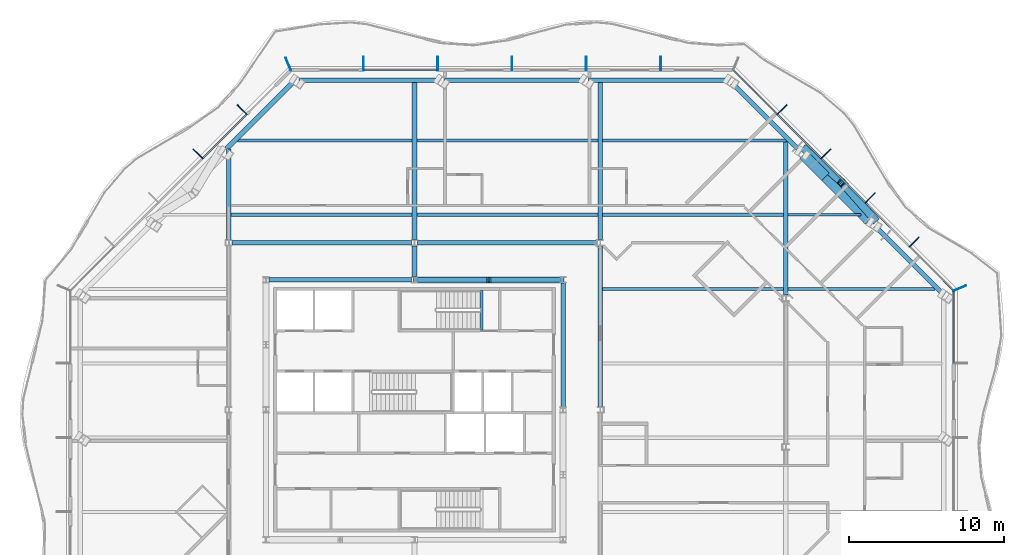
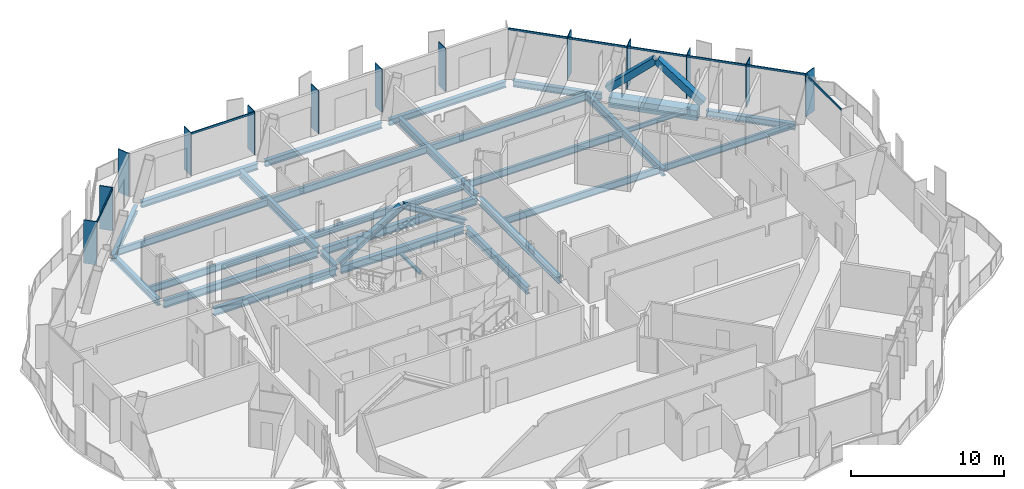
# One storey, part 5 of 19: 29 beams, 25 members, 4 elements without a shape of their own.
"""IFC4 building model written with IfcOpenShell, lengths in metres."""

from ifc_helpers import new_model, si_unit, direction, frame, origin, origin_2d, place, context, subcontext, project, spatial, rectangle, hollow_rectangle, i_section, extrude, material, material_profile, profile_set, type_object, element, aggregate, save


model = new_model("IFC4")

# Units and contexts
model_context = context("Model", 3, precision=1e-05, world=origin(), true_north=direction((0.0, 1.0)))
body_context = subcontext(model_context, "Body", "Model", "MODEL_VIEW")
ifc_project = project(units=[si_unit("LENGTHUNIT", "METRE"), si_unit("AREAUNIT", "SQUARE_METRE"), si_unit("VOLUMEUNIT", "CUBIC_METRE"), si_unit("PLANEANGLEUNIT", "RADIAN"), si_unit("MASSUNIT", "GRAM", prefix="KILO")], contexts=[model_context])

# Site, building, storey
site_placement = place(None, origin())
site = spatial("IfcSite", under=ifc_project, at=site_placement, CompositionType="ELEMENT")
building_placement = place(site_placement, origin())
building = spatial("IfcBuilding", under=site, at=building_placement, Name="Cairn Pilgrim Tower", CompositionType="ELEMENT")
storey_placement = place(building_placement, frame((0.0, 0.0, 193.800048828125)))
storey = spatial("IfcBuildingStorey", under=building, at=storey_placement, Name="L49", CompositionType="ELEMENT", Elevation=193.800048828125)

# Members
ifc_material_1 = material(Name="Structural steel S460M", Category="steel")
ifc_material_profile_1 = material_profile(ifc_material_1, hollow_rectangle(XDim=0.5, YDim=0.5, WallThickness=0.030029296875, at=origin_2d()), Name="BOX 500x500x30")
ifc_profile_set_1 = profile_set([ifc_material_profile_1], Name="Structural steel S460M")
member_type_1 = type_object("IfcMemberType", Name="BOX 500x500x30 BRACE", PredefinedType="BRACE", material=ifc_profile_set_1)
member_1_placement = place(storey_placement, frame((36.94482421875, 14.690185546875, 0.148681640625), z_axis=(-0.50268563235, 0.570110542694, 0.649831612141), x_axis=(-0.750068269105, -0.661360409823, 0.0)))
element("IfcMember", 1, at=member_1_placement, inside=storey, type_object=member_type_1, Name="XB-NE2-NE3-1", PredefinedType="BRACE", context=body_context, shape_type="SweptSolid", body=[
    extrude(hollow_rectangle(XDim=0.5, YDim=0.5, WallThickness=0.030029296875, at=origin_2d()), origin(), (0.0, 0.0, 1.0), 4.189453125),
])
member_2_placement = place(storey_placement, frame((32.41650390625, 19.256103515625, 0.14990234375), z_axis=(0.565218277233, -0.506570163308, 0.651087527701), x_axis=(0.667415534771, 0.744685506739, 0.0)))
element("IfcMember", 2, at=member_2_placement, inside=storey, type_object=member_type_1, Name="XB-NE2-NE3-2", PredefinedType="BRACE", context=body_context, shape_type="SweptSolid", body=[
    extrude(hollow_rectangle(XDim=0.5, YDim=0.5, WallThickness=0.030029296875, at=origin_2d()), origin(), (0.0, 0.0, 1.0), 4.179443359375),
])

# Beams
ifc_material_2 = material(Name="Structural steel S355J2", Category="steel")
ifc_material_profile_2 = material_profile(ifc_material_2, hollow_rectangle(XDim=0.699951171875, YDim=0.800048828125, WallThickness=0.0400390625, at=origin_2d()), Name="BOX 700x800x40")
ifc_profile_set_2 = profile_set([ifc_material_profile_2], Name="Structural steel S355J2")
beam_type_1 = type_object("IfcBeamType", Name="BOX 700x800x40 RING GIRDER", PredefinedType="SPANDREL", material=ifc_profile_set_2)
beam_1_placement = place(storey_placement, frame((36.584716796875, 14.642333984375, -0.550048828125), z_axis=(-0.707076115411, 0.707137445632, 0.0), x_axis=(-0.707137445632, -0.707076115411, 0.0)))
element("IfcBeam", 3, at=beam_1_placement, inside=storey, type_object=beam_type_1, Name="RG2-NE2-NE3-1", PredefinedType="SPANDREL", context=body_context, shape_type="SweptSolid", body=[
    extrude(hollow_rectangle(XDim=0.699951171875, YDim=0.800048828125, WallThickness=0.0400390625, at=origin_2d()), origin(), (0.0, 0.0, 1.0), 3.980712890625),
])
beam_2_placement = place(storey_placement, frame((33.77001953125, 17.457275390625, -0.550048828125), z_axis=(-0.707167240917, 0.707046316286, 0.0), x_axis=(-0.707046316286, -0.707167240917, 0.0)))
element("IfcBeam", 4, at=beam_2_placement, inside=storey, type_object=beam_type_1, Name="RG2-NE2-NE3-2", PredefinedType="SPANDREL", context=body_context, shape_type="SweptSolid", body=[
    extrude(hollow_rectangle(XDim=0.699951171875, YDim=0.800048828125, WallThickness=0.0400390625, at=origin_2d()), origin(), (0.0, 0.0, 1.0), 2.01904296875),
])

# Curtain wall, members
ifc_material_3 = material(Name="Aluminium alloy 6063-T6 bronze anodised with Bronze tinted laminated low-E glass 8+16+8.8", Category="aluminium")
curtain_wall_type_1 = type_object("IfcCurtainWallType", Name="CHAMFER CORNER CURTAIN WALL", PredefinedType="NOTDEFINED", material=ifc_material_3)
curtain_wall_1_placement = place(storey_placement, origin())
curtain_wall_1 = element("IfcCurtainWall", 5, at=curtain_wall_1_placement, inside=storey, type_object=curtain_wall_type_1, Name="Chamfer Corner Curtain Wall NE", PredefinedType="NOTDEFINED")
ifc_material_4 = material(Name="Aluminium alloy 6063-T6 bronze anodised", Category="aluminium")
ifc_material_profile_3 = material_profile(ifc_material_4, rectangle(XDim=0.89990234375, YDim=0.06005859375, at=origin_2d()), Name="FIN MULLION 60x900 BRONZE")
ifc_profile_set_3 = profile_set([ifc_material_profile_3], Name="Aluminium alloy 6063-T6 bronze anodised")
member_type_2 = type_object("IfcMemberType", Name="FIN MULLION 60x900 BRONZE", PredefinedType="MULLION", material=ifc_profile_set_3)
member_3_placement = place(storey_placement, frame((42.43798828125, 10.257080078125, 0.0), z_axis=(0.0, 0.0, 1.0), x_axis=(0.923879532511, 0.382683432365, 0.0)))
member_3 = element("IfcMember", 6, at=member_3_placement, type_object=member_type_2, Name="Fin mullion NE1", PredefinedType="MULLION", context=body_context, shape_type="SweptSolid", body=[
    extrude(rectangle(XDim=0.89990234375, YDim=0.06005859375, at=origin_2d()), origin(), (0.0, 0.0, 1.0), 3.449951171875),
])
member_4_placement = place(storey_placement, frame((39.496337890625, 13.244140625, 0.0), z_axis=(0.0, 0.0, 1.0), x_axis=(0.707106781187, 0.707106781187, 0.0)))
member_4 = element("IfcMember", 7, at=member_4_placement, type_object=member_type_2, Name="Fin mullion NE2", PredefinedType="MULLION", context=body_context, shape_type="SweptSolid", body=[
    extrude(rectangle(XDim=0.89990234375, YDim=0.06005859375, at=origin_2d()), origin(), (0.0, 0.0, 1.0), 3.449951171875),
])
member_5_placement = place(storey_placement, frame((36.6455078125, 16.094970703125, 0.0), z_axis=(0.0, 0.0, 1.0), x_axis=(0.707106781187, 0.707106781187, 0.0)))
member_5 = element("IfcMember", 8, at=member_5_placement, type_object=member_type_2, Name="Fin mullion NE3", PredefinedType="MULLION", context=body_context, shape_type="SweptSolid", body=[
    extrude(rectangle(XDim=0.89990234375, YDim=0.06005859375, at=origin_2d()), origin(), (0.0, 0.0, 1.0), 3.449951171875),
])
member_6_placement = place(storey_placement, frame((33.794921875, 18.945556640625, 0.0), z_axis=(0.0, 0.0, 1.0), x_axis=(0.707106781187, 0.707106781187, 0.0)))
member_6 = element("IfcMember", 9, at=member_6_placement, type_object=member_type_2, Name="Fin mullion NE4", PredefinedType="MULLION", context=body_context, shape_type="SweptSolid", body=[
    extrude(rectangle(XDim=0.89990234375, YDim=0.06005859375, at=origin_2d()), origin(), (0.0, 0.0, 1.0), 3.449951171875),
])
member_7_placement = place(storey_placement, frame((30.944091796875, 21.79638671875, 0.0), z_axis=(0.0, 0.0, 1.0), x_axis=(0.707106781187, 0.707106781187, 0.0)))
member_7 = element("IfcMember", 10, at=member_7_placement, type_object=member_type_2, Name="Fin mullion NE5", PredefinedType="MULLION", context=body_context, shape_type="SweptSolid", body=[
    extrude(rectangle(XDim=0.89990234375, YDim=0.06005859375, at=origin_2d()), origin(), (0.0, 0.0, 1.0), 3.449951171875),
])

curtain_wall_type_2 = type_object("IfcCurtainWallType", Name="TOWER STICK CURTAIN WALL NS", PredefinedType="NOTDEFINED", material=ifc_material_3)
curtain_wall_2_placement = place(storey_placement, origin())
curtain_wall_2 = element("IfcCurtainWall", 11, at=curtain_wall_2_placement, inside=storey, type_object=curtain_wall_type_2, Name="Tower Stick Curtain Wall Ns N", PredefinedType="NOTDEFINED")
member_8_placement = place(storey_placement, frame((23.10009765625, 24.77001953125, 0.0), z_axis=(0.0, 0.0, 1.0), x_axis=(0.0, 1.0, 0.0)))
member_8 = element("IfcMember", 12, at=member_8_placement, type_object=member_type_2, Name="Fin mullion N2", PredefinedType="MULLION", context=body_context, shape_type="SweptSolid", body=[
    extrude(rectangle(XDim=0.89990234375, YDim=0.06005859375, at=origin_2d()), origin(), (0.0, 0.0, 1.0), 3.449951171875),
])
member_9_placement = place(storey_placement, frame((18.300048828125, 24.77001953125, 0.0), z_axis=(0.0, 0.0, 1.0), x_axis=(0.0, 1.0, 0.0)))
member_9 = element("IfcMember", 13, at=member_9_placement, type_object=member_type_2, Name="Fin mullion N3", PredefinedType="MULLION", context=body_context, shape_type="SweptSolid", body=[
    extrude(rectangle(XDim=0.89990234375, YDim=0.06005859375, at=origin_2d()), origin(), (0.0, 0.0, 1.0), 3.449951171875),
])
member_10_placement = place(storey_placement, frame((13.5, 24.77001953125, 0.0), z_axis=(0.0, 0.0, 1.0), x_axis=(0.0, 1.0, 0.0)))
member_10 = element("IfcMember", 14, at=member_10_placement, type_object=member_type_2, Name="Fin mullion N4", PredefinedType="MULLION", context=body_context, shape_type="SweptSolid", body=[
    extrude(rectangle(XDim=0.89990234375, YDim=0.06005859375, at=origin_2d()), origin(), (0.0, 0.0, 1.0), 3.449951171875),
])
member_11_placement = place(storey_placement, frame((8.699951171875, 24.77001953125, 0.0), z_axis=(0.0, 0.0, 1.0), x_axis=(0.0, 1.0, 0.0)))
member_11 = element("IfcMember", 15, at=member_11_placement, type_object=member_type_2, Name="Fin mullion N5", PredefinedType="MULLION", context=body_context, shape_type="SweptSolid", body=[
    extrude(rectangle(XDim=0.89990234375, YDim=0.06005859375, at=origin_2d()), origin(), (0.0, 0.0, 1.0), 3.449951171875),
])
member_12_placement = place(storey_placement, frame((3.89990234375, 24.77001953125, 0.0), z_axis=(0.0, 0.0, 1.0), x_axis=(0.0, 1.0, 0.0)))
member_12 = element("IfcMember", 16, at=member_12_placement, type_object=member_type_2, Name="Fin mullion N6", PredefinedType="MULLION", context=body_context, shape_type="SweptSolid", body=[
    extrude(rectangle(XDim=0.89990234375, YDim=0.06005859375, at=origin_2d()), origin(), (0.0, 0.0, 1.0), 3.449951171875),
])

curtain_wall_3_placement = place(storey_placement, origin())
curtain_wall_3 = element("IfcCurtainWall", 17, at=curtain_wall_3_placement, inside=storey, type_object=curtain_wall_type_1, Name="Chamfer Corner Curtain Wall NW", PredefinedType="NOTDEFINED")
member_13_placement = place(storey_placement, frame((-0.957275390625, 24.738037109375, 0.0), z_axis=(0.0, 0.0, 1.0), x_axis=(-0.382683432365, 0.923879532511, 0.0)))
member_13 = element("IfcMember", 18, at=member_13_placement, type_object=member_type_2, Name="Fin mullion NW1", PredefinedType="MULLION", context=body_context, shape_type="SweptSolid", body=[
    extrude(rectangle(XDim=0.89990234375, YDim=0.06005859375, at=origin_2d()), origin(), (0.0, 0.0, 1.0), 3.449951171875),
])
member_14_placement = place(storey_placement, frame((-3.944091796875, 21.79638671875, 0.0), z_axis=(0.0, 0.0, 1.0), x_axis=(-0.707106781187, 0.707106781187, 0.0)))
member_14 = element("IfcMember", 19, at=member_14_placement, type_object=member_type_2, Name="Fin mullion NW2", PredefinedType="MULLION", context=body_context, shape_type="SweptSolid", body=[
    extrude(rectangle(XDim=0.89990234375, YDim=0.06005859375, at=origin_2d()), origin(), (0.0, 0.0, 1.0), 3.449951171875),
])
member_15_placement = place(storey_placement, frame((-6.794921875, 18.945556640625, 0.0), z_axis=(0.0, 0.0, 1.0), x_axis=(-0.707106781187, 0.707106781187, 0.0)))
member_15 = element("IfcMember", 20, at=member_15_placement, type_object=member_type_2, Name="Fin mullion NW3", PredefinedType="MULLION", context=body_context, shape_type="SweptSolid", body=[
    extrude(rectangle(XDim=0.89990234375, YDim=0.06005859375, at=origin_2d()), origin(), (0.0, 0.0, 1.0), 3.449951171875),
])

# Members
ifc_material_profile_4 = material_profile(ifc_material_2, i_section(OverallWidth=0.39794921875, OverallDepth=0.386962890625, WebThickness=0.02099609375, FlangeThickness=0.033203125, FilletRadius=0.014892578125, at=origin_2d()), Name="HD 400x262")
ifc_profile_set_4 = profile_set([ifc_material_profile_4], Name="Structural steel S355J2")
member_type_3 = type_object("IfcMemberType", Name="HD 400x262 BRACE", PredefinedType="BRACE", material=ifc_profile_set_4)
for number, where, z_axis, x_axis, name in (
    (21, (16.759521484375, 10.800048828125, 0.099853515625), (-0.851160677397, 0.0, 0.524905230736), (0.0, -1.0, 0.0), "KB-3A"),
    (22, (7.240478515625, 10.800048828125, 0.099853515625), (0.851160677397, 0.0, 0.524905230736), (0.0, 1.0, 0.0), "KB-3B"),
):
    element("IfcMember", number, at=place(storey_placement, frame(where, z_axis=z_axis, x_axis=x_axis)), inside=storey, type_object=member_type_3, Name=name, PredefinedType="BRACE", context=body_context, shape_type="SweptSolid", body=[
        extrude(i_section(OverallWidth=0.39794921875, OverallDepth=0.386962890625, WebThickness=0.02099609375, FlangeThickness=0.033203125, FilletRadius=0.014892578125, at=origin_2d()), origin(), (0.0, 0.0, 1.0), 5.529296875),
    ])

# Beams
ifc_material_profile_5 = material_profile(ifc_material_2, i_section(OverallWidth=0.300048828125, OverallDepth=0.39990234375, WebThickness=0.013427734375, FlangeThickness=0.02392578125, FilletRadius=0.027099609375, at=origin_2d()), Name="HEB 400")
ifc_profile_set_5 = profile_set([ifc_material_profile_5], Name="Structural steel S355J2")
beam_type_2 = type_object("IfcBeamType", Name="HEB 400 GIRDER", PredefinedType="BEAM", material=ifc_profile_set_5)
beam_3_placement = place(storey_placement, frame((7.199951171875, 11.001953125, -0.35009765625), z_axis=(0.0, 1.0, 0.0), x_axis=(-1.0, 0.0, 0.0)))
element("IfcBeam", 23, at=beam_3_placement, inside=storey, type_object=beam_type_2, Name="PG3-E2", PredefinedType="BEAM", context=body_context, shape_type="SweptSolid", body=[
    extrude(i_section(OverallWidth=0.300048828125, OverallDepth=0.39990234375, WebThickness=0.013427734375, FlangeThickness=0.02392578125, FilletRadius=0.027099609375, at=origin_2d()), origin(), (0.0, 0.0, 1.0), 1.99853515625),
])
ifc_material_profile_6 = material_profile(ifc_material_2, i_section(OverallWidth=0.300048828125, OverallDepth=0.5, WebThickness=0.014404296875, FlangeThickness=0.028076171875, FilletRadius=0.027099609375, at=origin_2d()), Name="HEB 500")
ifc_profile_set_6 = profile_set([ifc_material_profile_6], Name="Structural steel S355J2")
beam_type_3 = type_object("IfcBeamType", Name="HEB 500 GIRDER", PredefinedType="BEAM", material=ifc_profile_set_6)
beam_4_placement = place(storey_placement, frame((-4.800048828125, 13.3994140625, -0.400146484375), z_axis=(0.0, 1.0, 0.0), x_axis=(-1.0, 0.0, 0.0)))
element("IfcBeam", 24, at=beam_4_placement, inside=storey, type_object=beam_type_3, Name="PG2-4", PredefinedType="BEAM", context=body_context, shape_type="SweptSolid", body=[
    extrude(i_section(OverallWidth=0.300048828125, OverallDepth=0.5, WebThickness=0.014404296875, FlangeThickness=0.028076171875, FilletRadius=0.027099609375, at=origin_2d()), origin(), (0.0, 0.0, 1.0), 5.845703125),
])
ifc_material_profile_7 = material_profile(ifc_material_2, i_section(OverallWidth=0.300048828125, OverallDepth=0.5, WebThickness=0.014404296875, FlangeThickness=0.028076171875, FilletRadius=0.027099609375, at=origin_2d()), Name="HEB 500")
ifc_profile_set_7 = profile_set([ifc_material_profile_7], Name="Structural steel S355J2")
beam_type_4 = type_object("IfcBeamType", Name="HEB 500 RING GIRDER", PredefinedType="SPANDREL", material=ifc_profile_set_7)
beam_5_placement = place(storey_placement, frame((41.208984375, 10.01806640625, -0.400146484375), z_axis=(-0.707086434254, 0.707127127534, 0.0), x_axis=(-0.707127127534, -0.707086434254, 0.0)))
element("IfcBeam", 25, at=beam_5_placement, inside=storey, type_object=beam_type_4, Name="RG2-NE1-NE2", PredefinedType="SPANDREL", context=body_context, shape_type="SweptSolid", body=[
    extrude(i_section(OverallWidth=0.300048828125, OverallDepth=0.5, WebThickness=0.014404296875, FlangeThickness=0.028076171875, FilletRadius=0.027099609375, at=origin_2d()), origin(), (0.0, 0.0, 1.0), 5.99951171875),
])
beam_6_placement = place(storey_placement, frame((31.960693359375, 19.2666015625, -0.400146484375), z_axis=(-0.707127126363, 0.707086435425, 0.0), x_axis=(-0.707086435425, -0.707127126363, 0.0)))
element("IfcBeam", 26, at=beam_6_placement, inside=storey, type_object=beam_type_4, Name="RG2-NE3-N1", PredefinedType="SPANDREL", context=body_context, shape_type="SweptSolid", body=[
    extrude(i_section(OverallWidth=0.300048828125, OverallDepth=0.5, WebThickness=0.014404296875, FlangeThickness=0.028076171875, FilletRadius=0.027099609375, at=origin_2d()), origin(), (0.0, 0.0, 1.0), 5.999755859375),
])
beam_7_placement = place(storey_placement, frame((27.257080078125, 23.699951171875, -0.400146484375), z_axis=(-1.0, 0.0, 0.0), x_axis=(0.0, -1.0, 0.0)))
element("IfcBeam", 27, at=beam_7_placement, inside=storey, type_object=beam_type_4, Name="RG2-N1-N2", PredefinedType="SPANDREL", context=body_context, shape_type="SweptSolid", body=[
    extrude(i_section(OverallWidth=0.300048828125, OverallDepth=0.5, WebThickness=0.014404296875, FlangeThickness=0.028076171875, FilletRadius=0.027099609375, at=origin_2d()), origin(), (0.0, 0.0, 1.0), 8.811279296875),
])
beam_8_placement = place(storey_placement, frame((17.90576171875, 23.699951171875, -0.400146484375), z_axis=(-1.0, 0.0, 0.0), x_axis=(0.0, -1.0, 0.0)))
element("IfcBeam", 28, at=beam_8_placement, inside=storey, type_object=beam_type_4, Name="RG2-N2-N3", PredefinedType="SPANDREL", context=body_context, shape_type="SweptSolid", body=[
    extrude(i_section(OverallWidth=0.300048828125, OverallDepth=0.5, WebThickness=0.014404296875, FlangeThickness=0.028076171875, FilletRadius=0.027099609375, at=origin_2d()), origin(), (0.0, 0.0, 1.0), 8.8115234375),
])
beam_9_placement = place(storey_placement, frame((8.55419921875, 23.699951171875, -0.400146484375), z_axis=(-1.0, 0.0, 0.0), x_axis=(0.0, -1.0, 0.0)))
element("IfcBeam", 29, at=beam_9_placement, inside=storey, type_object=beam_type_4, Name="RG2-N3-NW1", PredefinedType="SPANDREL", context=body_context, shape_type="SweptSolid", body=[
    extrude(i_section(OverallWidth=0.300048828125, OverallDepth=0.5, WebThickness=0.014404296875, FlangeThickness=0.028076171875, FilletRadius=0.027099609375, at=origin_2d()), origin(), (0.0, 0.0, 1.0), 8.811279296875),
])
beam_10_placement = place(storey_placement, frame((-0.718017578125, 23.509033203125, -0.400146484375), z_axis=(-0.707127126363, -0.707086435425, 0.0), x_axis=(0.707086435425, -0.707127126363, 0.0)))
element("IfcBeam", 30, at=beam_10_placement, inside=storey, type_object=beam_type_4, Name="RG2-NW1-NW2", PredefinedType="SPANDREL", context=body_context, shape_type="SweptSolid", body=[
    extrude(i_section(OverallWidth=0.300048828125, OverallDepth=0.5, WebThickness=0.014404296875, FlangeThickness=0.028076171875, FilletRadius=0.027099609375, at=origin_2d()), origin(), (0.0, 0.0, 1.0), 5.999755859375),
])
ifc_material_profile_8 = material_profile(ifc_material_2, i_section(OverallWidth=0.300048828125, OverallDepth=0.60009765625, WebThickness=0.015380859375, FlangeThickness=0.030029296875, FilletRadius=0.027099609375, at=origin_2d()), Name="HEB 600")
ifc_profile_set_8 = profile_set([ifc_material_profile_8], Name="Structural steel S355J2")
beam_type_5 = type_object("IfcBeamType", Name="HEB 600 CORE BEAM", PredefinedType="BEAM", material=ifc_profile_set_8)
beam_11_placement = place(storey_placement, frame((16.800048828125, 2.581787109375, -0.449951171875), z_axis=(0.0, 1.0, 0.0), x_axis=(-1.0, 0.0, 0.0)))
element("IfcBeam", 31, at=beam_11_placement, inside=storey, type_object=beam_type_5, Name="CB-4", PredefinedType="BEAM", context=body_context, shape_type="SweptSolid", body=[
    extrude(i_section(OverallWidth=0.300048828125, OverallDepth=0.60009765625, WebThickness=0.015380859375, FlangeThickness=0.030029296875, FilletRadius=0.027099609375, at=origin_2d()), origin(), (0.0, 0.0, 1.0), 8.036376953125),
])
beam_12_placement = place(storey_placement, frame((16.6181640625, 10.800048828125, -0.449951171875), z_axis=(-1.0, 0.0, 0.0), x_axis=(0.0, -1.0, 0.0)))
element("IfcBeam", 32, at=beam_12_placement, inside=storey, type_object=beam_type_5, Name="CB-5", PredefinedType="BEAM", context=body_context, shape_type="SweptSolid", body=[
    extrude(i_section(OverallWidth=0.300048828125, OverallDepth=0.60009765625, WebThickness=0.015380859375, FlangeThickness=0.030029296875, FilletRadius=0.027099609375, at=origin_2d()), origin(), (0.0, 0.0, 1.0), 9.236328125),
])
beam_13_placement = place(storey_placement, frame((7.018310546875, 10.800048828125, -0.449951171875), z_axis=(-1.0, 0.0, 0.0), x_axis=(0.0, -1.0, 0.0)))
element("IfcBeam", 33, at=beam_13_placement, inside=storey, type_object=beam_type_5, Name="CB-6", PredefinedType="BEAM", context=body_context, shape_type="SweptSolid", body=[
    extrude(i_section(OverallWidth=0.300048828125, OverallDepth=0.60009765625, WebThickness=0.015380859375, FlangeThickness=0.030029296875, FilletRadius=0.027099609375, at=origin_2d()), origin(), (0.0, 0.0, 1.0), 9.236572265625),
])
ifc_material_profile_9 = material_profile(ifc_material_2, i_section(OverallWidth=0.300048828125, OverallDepth=0.60009765625, WebThickness=0.015380859375, FlangeThickness=0.030029296875, FilletRadius=0.027099609375, at=origin_2d()), Name="HEB 600")
ifc_profile_set_9 = profile_set([ifc_material_profile_9], Name="Structural steel S355J2")
beam_type_6 = type_object("IfcBeamType", Name="HEB 600 GIRDER", PredefinedType="BEAM", material=ifc_profile_set_9)
beam_14_placement = place(storey_placement, frame((7.199951171875, 13.3994140625, -0.449951171875), z_axis=(0.0, 1.0, 0.0), x_axis=(-1.0, 0.0, 0.0)))
element("IfcBeam", 34, at=beam_14_placement, inside=storey, type_object=beam_type_6, Name="PG3-2", PredefinedType="BEAM", context=body_context, shape_type="SweptSolid", body=[
    extrude(i_section(OverallWidth=0.300048828125, OverallDepth=0.60009765625, WebThickness=0.015380859375, FlangeThickness=0.030029296875, FilletRadius=0.027099609375, at=origin_2d()), origin(), (0.0, 0.0, 1.0), 10.1806640625),
])
beam_15_placement = place(storey_placement, frame((19.199951171875, 2.599609375, -0.449951171875), z_axis=(0.0, 1.0, 0.0), x_axis=(-1.0, 0.0, 0.0)))
element("IfcBeam", 35, at=beam_15_placement, inside=storey, type_object=beam_type_6, Name="PG4-3", PredefinedType="BEAM", context=body_context, shape_type="SweptSolid", body=[
    extrude(i_section(OverallWidth=0.300048828125, OverallDepth=0.60009765625, WebThickness=0.015380859375, FlangeThickness=0.030029296875, FilletRadius=0.027099609375, at=origin_2d()), origin(), (0.0, 0.0, 1.0), 10.40087890625),
])
beam_16_placement = place(storey_placement, frame((19.199951171875, 13.3994140625, -0.449951171875), z_axis=(0.0, 1.0, 0.0), x_axis=(-1.0, 0.0, 0.0)))
element("IfcBeam", 36, at=beam_16_placement, inside=storey, type_object=beam_type_6, Name="PG4-4", PredefinedType="BEAM", context=body_context, shape_type="SweptSolid", body=[
    extrude(i_section(OverallWidth=0.300048828125, OverallDepth=0.60009765625, WebThickness=0.015380859375, FlangeThickness=0.030029296875, FilletRadius=0.027099609375, at=origin_2d()), origin(), (0.0, 0.0, 1.0), 10.1806640625),
])
beam_17_placement = place(storey_placement, frame((31.199951171875, 9.804443359375, -0.449951171875), z_axis=(0.0, 1.0, 0.0), x_axis=(-1.0, 0.0, 0.0)))
element("IfcBeam", 37, at=beam_17_placement, inside=storey, type_object=beam_type_6, Name="PG5-3", PredefinedType="BEAM", context=body_context, shape_type="SweptSolid", body=[
    extrude(i_section(OverallWidth=0.300048828125, OverallDepth=0.60009765625, WebThickness=0.015380859375, FlangeThickness=0.030029296875, FilletRadius=0.027099609375, at=origin_2d()), origin(), (0.0, 0.0, 1.0), 10.040771484375),
])
ifc_material_profile_10 = material_profile(ifc_material_2, i_section(OverallWidth=0.300048828125, OverallDepth=0.60009765625, WebThickness=0.015380859375, FlangeThickness=0.030029296875, FilletRadius=0.027099609375, at=origin_2d()), Name="HEB 600")
ifc_profile_set_10 = profile_set([ifc_material_profile_10], Name="Structural steel S355J2")
beam_type_7 = type_object("IfcBeamType", Name="HEB 600 INNER GIRDER", PredefinedType="BEAM", material=ifc_profile_set_10)
for number, where, z_axis, x_axis, name in (
    (38, (-4.6005859375, 13.199951171875, -0.449951171875), (1.0, 0.0, 0.0), (0.0, 1.0, 0.0), "IG2-1"),
    (39, (7.3994140625, 13.199951171875, -0.449951171875), (1.0, 0.0, 0.0), (0.0, 1.0, 0.0), "IG2-2"),
):
    element("IfcBeam", number, at=place(storey_placement, frame(where, z_axis=z_axis, x_axis=x_axis)), inside=storey, type_object=beam_type_7, Name=name, PredefinedType="BEAM", context=body_context, shape_type="SweptSolid", body=[
        extrude(i_section(OverallWidth=0.300048828125, OverallDepth=0.60009765625, WebThickness=0.015380859375, FlangeThickness=0.030029296875, FilletRadius=0.027099609375, at=origin_2d()), origin(), (0.0, 0.0, 1.0), 11.60107421875),
    ])
ifc_material_profile_11 = material_profile(ifc_material_2, i_section(OverallWidth=0.169921875, OverallDepth=0.360107421875, WebThickness=0.008056640625, FlangeThickness=0.0126953125, FilletRadius=0.01806640625, at=origin_2d()), Name="IPE 360")
ifc_profile_set_11 = profile_set([ifc_material_profile_11], Name="Structural steel S355J2")
beam_type_8 = type_object("IfcBeamType", Name="IPE 360 SECONDARY BEAM", PredefinedType="JOIST", material=ifc_profile_set_11)
beam_18_placement = place(storey_placement, frame((31.35009765625, 15.0, -0.330078125), z_axis=(1.0, 0.0, 0.0), x_axis=(0.0, 1.0, 0.0)))
element("IfcBeam", 40, at=beam_18_placement, inside=storey, type_object=beam_type_8, Name="SB8-5", PredefinedType="JOIST", context=body_context, shape_type="SweptSolid", body=[
    extrude(i_section(OverallWidth=0.169921875, OverallDepth=0.360107421875, WebThickness=0.008056640625, FlangeThickness=0.0126953125, FilletRadius=0.01806640625, at=origin_2d()), origin(), (0.0, 0.0, 1.0), 4.695068359375),
])
ifc_material_profile_12 = material_profile(ifc_material_2, i_section(OverallWidth=0.199951171875, OverallDepth=0.5, WebThickness=0.01025390625, FlangeThickness=0.01611328125, FilletRadius=0.02099609375, at=origin_2d()), Name="IPE 500")
ifc_profile_set_12 = profile_set([ifc_material_profile_12], Name="Structural steel S355J2")
beam_type_9 = type_object("IfcBeamType", Name="IPE 500 SECONDARY BEAM", PredefinedType="JOIST", material=ifc_profile_set_12)
beam_19_placement = place(storey_placement, frame((31.35009765625, 10.199951171875, -0.400146484375), z_axis=(1.0, 0.0, 0.0), x_axis=(0.0, 1.0, 0.0)))
element("IfcBeam", 41, at=beam_19_placement, inside=storey, type_object=beam_type_9, Name="SB7-3", PredefinedType="JOIST", context=body_context, shape_type="SweptSolid", body=[
    extrude(i_section(OverallWidth=0.199951171875, OverallDepth=0.5, WebThickness=0.01025390625, FlangeThickness=0.01611328125, FilletRadius=0.02099609375, at=origin_2d()), origin(), (0.0, 0.0, 1.0), 9.4951171875),
])
ifc_material_profile_13 = material_profile(ifc_material_2, i_section(OverallWidth=0.2099609375, OverallDepth=0.550048828125, WebThickness=0.010986328125, FlangeThickness=0.01708984375, FilletRadius=0.02392578125, at=origin_2d()), Name="IPE 550")
ifc_profile_set_13 = profile_set([ifc_material_profile_13], Name="Structural steel S355J2")
beam_type_10 = type_object("IfcBeamType", Name="IPE 550 SECONDARY BEAM", PredefinedType="JOIST", material=ifc_profile_set_13)
for number, where, z_axis, x_axis, name in (
    (42, (19.35009765625, 10.199951171875, -0.425048828125), (1.0, 0.0, 0.0), (0.0, 1.0, 0.0), "SB7-2"),
    (43, (-4.64990234375, 15.0, -0.425048828125), (1.0, 0.0, 0.0), (0.0, 1.0, 0.0), "SB8-2"),
    (44, (7.35009765625, 15.0, -0.425048828125), (1.0, 0.0, 0.0), (0.0, 1.0, 0.0), "SB8-3"),
    (45, (19.35009765625, 15.0, -0.425048828125), (1.0, 0.0, 0.0), (0.0, 1.0, 0.0), "SB8-4"),
):
    element("IfcBeam", number, at=place(storey_placement, frame(where, z_axis=z_axis, x_axis=x_axis)), inside=storey, type_object=beam_type_10, Name=name, PredefinedType="JOIST", context=body_context, shape_type="SweptSolid", body=[
        extrude(i_section(OverallWidth=0.2099609375, OverallDepth=0.550048828125, WebThickness=0.010986328125, FlangeThickness=0.01708984375, FilletRadius=0.02392578125, at=origin_2d()), origin(), (0.0, 0.0, 1.0), 11.699951171875),
    ])
beam_20_placement = place(storey_placement, frame((-4.2451171875, 19.800048828125, -0.425048828125), z_axis=(1.0, 0.0, 0.0), x_axis=(0.0, 1.0, 0.0)))
element("IfcBeam", 46, at=beam_20_placement, inside=storey, type_object=beam_type_10, Name="SB9-1", PredefinedType="JOIST", context=body_context, shape_type="SweptSolid", body=[
    extrude(i_section(OverallWidth=0.2099609375, OverallDepth=0.550048828125, WebThickness=0.010986328125, FlangeThickness=0.01708984375, FilletRadius=0.02392578125, at=origin_2d()), origin(), (0.0, 0.0, 1.0), 11.295166015625),
])
beam_21_placement = place(storey_placement, frame((7.35009765625, 19.800048828125, -0.425048828125), z_axis=(1.0, 0.0, 0.0), x_axis=(0.0, 1.0, 0.0)))
element("IfcBeam", 47, at=beam_21_placement, inside=storey, type_object=beam_type_10, Name="SB9-2", PredefinedType="JOIST", context=body_context, shape_type="SweptSolid", body=[
    extrude(i_section(OverallWidth=0.2099609375, OverallDepth=0.550048828125, WebThickness=0.010986328125, FlangeThickness=0.01708984375, FilletRadius=0.02392578125, at=origin_2d()), origin(), (0.0, 0.0, 1.0), 11.699951171875),
])
beam_22_placement = place(storey_placement, frame((19.35009765625, 19.800048828125, -0.425048828125), z_axis=(1.0, 0.0, 0.0), x_axis=(0.0, 1.0, 0.0)))
element("IfcBeam", 48, at=beam_22_placement, inside=storey, type_object=beam_type_10, Name="SB9-3", PredefinedType="JOIST", context=body_context, shape_type="SweptSolid", body=[
    extrude(i_section(OverallWidth=0.2099609375, OverallDepth=0.550048828125, WebThickness=0.010986328125, FlangeThickness=0.01708984375, FilletRadius=0.02392578125, at=origin_2d()), origin(), (0.0, 0.0, 1.0), 11.89501953125),
])
ifc_material_profile_14 = material_profile(ifc_material_2, i_section(OverallWidth=0.199951171875, OverallDepth=0.199951171875, WebThickness=0.009033203125, FlangeThickness=0.014892578125, FilletRadius=0.01806640625, at=origin_2d()), Name="HE 200 B")
ifc_profile_set_14 = profile_set([ifc_material_profile_14], Name="Structural steel S355J2")
beam_type_11 = type_object("IfcBeamType", Name="STAIR LANDING BEAM HE 200 B", PredefinedType="BEAM", material=ifc_profile_set_14)
beam_23_placement = place(storey_placement, frame((11.5244140625, 10.10009765625, -0.25), z_axis=(0.0, -1.0, 0.0), x_axis=(1.0, 0.0, 0.0)))
element("IfcBeam", 49, at=beam_23_placement, inside=storey, type_object=beam_type_11, Name="STAIR LANDING BEAM LD-HE200B", PredefinedType="BEAM", context=body_context, shape_type="SweptSolid", body=[
    extrude(i_section(OverallWidth=0.199951171875, OverallDepth=0.199951171875, WebThickness=0.009033203125, FlangeThickness=0.014892578125, FilletRadius=0.01806640625, at=origin_2d()), origin(), (0.0, 0.0, 1.0), 2.525146484375),
])

# Curtain wall, member
curtain_wall_type_3 = type_object("IfcCurtainWallType", Name="TOWER STICK CURTAIN WALL EW", PredefinedType="NOTDEFINED", material=ifc_material_3)
curtain_wall_4_placement = place(storey_placement, origin())
curtain_wall_4 = element("IfcCurtainWall", 50, at=curtain_wall_4_placement, inside=storey, type_object=curtain_wall_type_3, Name="Tower Stick Curtain Wall Ew E", PredefinedType="NOTDEFINED")
ifc_material_profile_15 = material_profile(ifc_material_4, rectangle(XDim=0.080078125, YDim=0.14990234375, at=origin_2d()), Name="TRANSOM 80x150 BRONZE")
ifc_profile_set_15 = profile_set([ifc_material_profile_15], Name="Aluminium alloy 6063-T6 bronze anodised")
member_type_4 = type_object("IfcMemberType", Name="TRANSOM 80x150 BRONZE", PredefinedType="USERDEFINED", material=ifc_profile_set_15)
member_16_placement = place(storey_placement, frame((42.050048828125, 5.429931640625, 3.375), z_axis=(0.0, 1.0, 0.0), x_axis=(-1.0, 0.0, 0.0)))
member_16 = element("IfcMember", 51, at=member_16_placement, type_object=member_type_4, Name="Transom E4", ObjectType="TRANSOM", PredefinedType="USERDEFINED", context=body_context, shape_type="SweptSolid", body=[
    extrude(rectangle(XDim=0.080078125, YDim=0.14990234375, at=origin_2d()), origin(), (0.0, 0.0, 1.0), 4.62646484375),
])
aggregate(curtain_wall_4, [member_16])

# Member
member_17_placement = place(storey_placement, frame((42.021728515625, 10.124755859375, 3.375), z_axis=(-0.707106781187, 0.707106781187, 0.0), x_axis=(-0.707106781187, -0.707106781187, 0.0)))
member_17 = element("IfcMember", 52, at=member_17_placement, type_object=member_type_4, Name="Transom NE1", ObjectType="TRANSOM", PredefinedType="USERDEFINED", context=body_context, shape_type="SweptSolid", body=[
    extrude(rectangle(XDim=0.080078125, YDim=0.14990234375, at=origin_2d()), origin(), (0.0, 0.0, 1.0), 3.961669921875),
])

member_18_placement = place(storey_placement, frame((39.177978515625, 12.96826171875, 3.375), z_axis=(-0.707076043427, 0.70713751761, 0.0), x_axis=(-0.70713751761, -0.707076043427, 0.0)))
member_18 = element("IfcMember", 53, at=member_18_placement, type_object=member_type_4, Name="Transom NE2", ObjectType="TRANSOM", PredefinedType="USERDEFINED", context=body_context, shape_type="SweptSolid", body=[
    extrude(rectangle(XDim=0.080078125, YDim=0.14990234375, at=origin_2d()), origin(), (0.0, 0.0, 1.0), 3.971435546875),
])

member_19_placement = place(storey_placement, frame((36.327392578125, 15.819091796875, 3.375), z_axis=(-0.707106781187, 0.707106781187, 0.0), x_axis=(-0.707106781187, -0.707106781187, 0.0)))
member_19 = element("IfcMember", 54, at=member_19_placement, type_object=member_type_4, Name="Transom NE3", ObjectType="TRANSOM", PredefinedType="USERDEFINED", context=body_context, shape_type="SweptSolid", body=[
    extrude(rectangle(XDim=0.080078125, YDim=0.14990234375, at=origin_2d()), origin(), (0.0, 0.0, 1.0), 3.9716796875),
])

member_20_placement = place(storey_placement, frame((33.4765625, 18.669677734375, 3.375), z_axis=(-0.707076043427, 0.70713751761, 0.0), x_axis=(-0.70713751761, -0.707076043427, 0.0)))
member_20 = element("IfcMember", 55, at=member_20_placement, type_object=member_type_4, Name="Transom NE4", ObjectType="TRANSOM", PredefinedType="USERDEFINED", context=body_context, shape_type="SweptSolid", body=[
    extrude(rectangle(XDim=0.080078125, YDim=0.14990234375, at=origin_2d()), origin(), (0.0, 0.0, 1.0), 3.971435546875),
])

member_21_placement = place(storey_placement, frame((30.6259765625, 21.5205078125, 3.375), z_axis=(-0.707106781187, 0.707106781187, 0.0), x_axis=(-0.707106781187, -0.707106781187, 0.0)))
member_21 = element("IfcMember", 56, at=member_21_placement, type_object=member_type_4, Name="Transom NE5", ObjectType="TRANSOM", PredefinedType="USERDEFINED", context=body_context, shape_type="SweptSolid", body=[
    extrude(rectangle(XDim=0.080078125, YDim=0.14990234375, at=origin_2d()), origin(), (0.0, 0.0, 1.0), 3.961669921875),
])

aggregate(curtain_wall_1, [member_3, member_4, member_5, member_6, member_7, member_17, member_18, member_19, member_20, member_21])

member_22_placement = place(storey_placement, frame((8.669921875, 24.35009765625, 3.375), z_axis=(-1.0, 0.0, 0.0), x_axis=(0.0, -1.0, 0.0)))
member_22 = element("IfcMember", 57, at=member_22_placement, type_object=member_type_4, Name="Transom N5", ObjectType="TRANSOM", PredefinedType="USERDEFINED", context=body_context, shape_type="SweptSolid", body=[
    extrude(rectangle(XDim=0.080078125, YDim=0.14990234375, at=origin_2d()), origin(), (0.0, 0.0, 1.0), 4.739990234375),
])

aggregate(curtain_wall_2, [member_8, member_9, member_10, member_11, member_12, member_22])

member_23_placement = place(storey_placement, frame((-3.66845703125, 21.47802734375, 3.375), z_axis=(-0.707076043427, -0.70713751761, 0.0), x_axis=(0.70713751761, -0.707076043427, 0.0)))
member_23 = element("IfcMember", 58, at=member_23_placement, type_object=member_type_4, Name="Transom NW2", ObjectType="TRANSOM", PredefinedType="USERDEFINED", context=body_context, shape_type="SweptSolid", body=[
    extrude(rectangle(XDim=0.080078125, YDim=0.14990234375, at=origin_2d()), origin(), (0.0, 0.0, 1.0), 3.971435546875),
])

aggregate(curtain_wall_3, [member_13, member_14, member_15, member_23])

save(model, "model.ifc")
